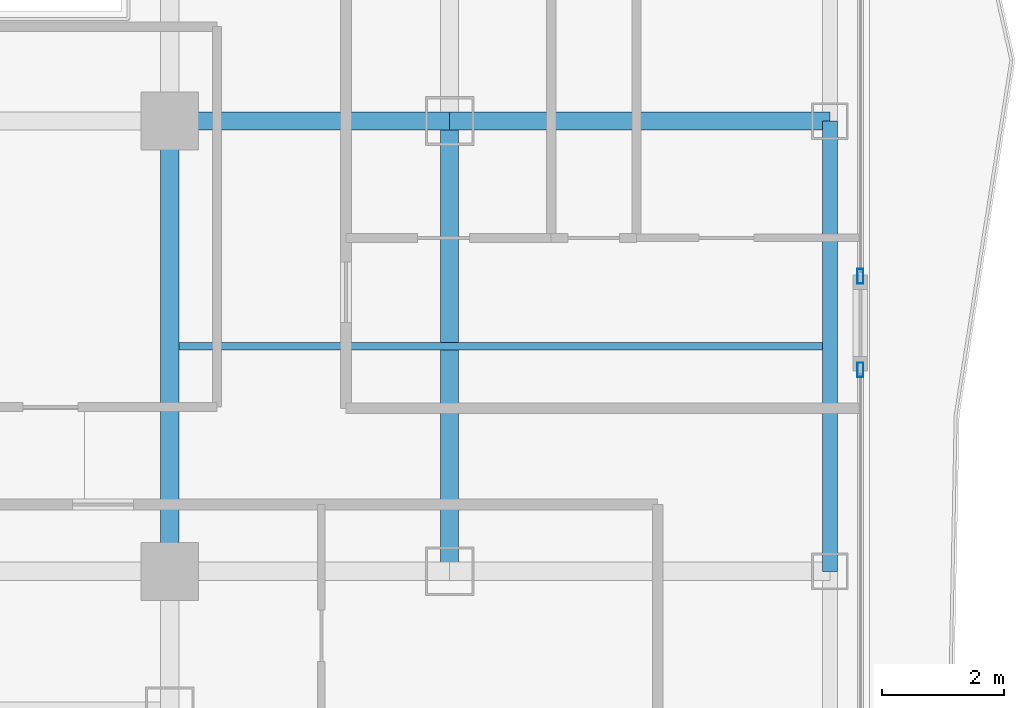
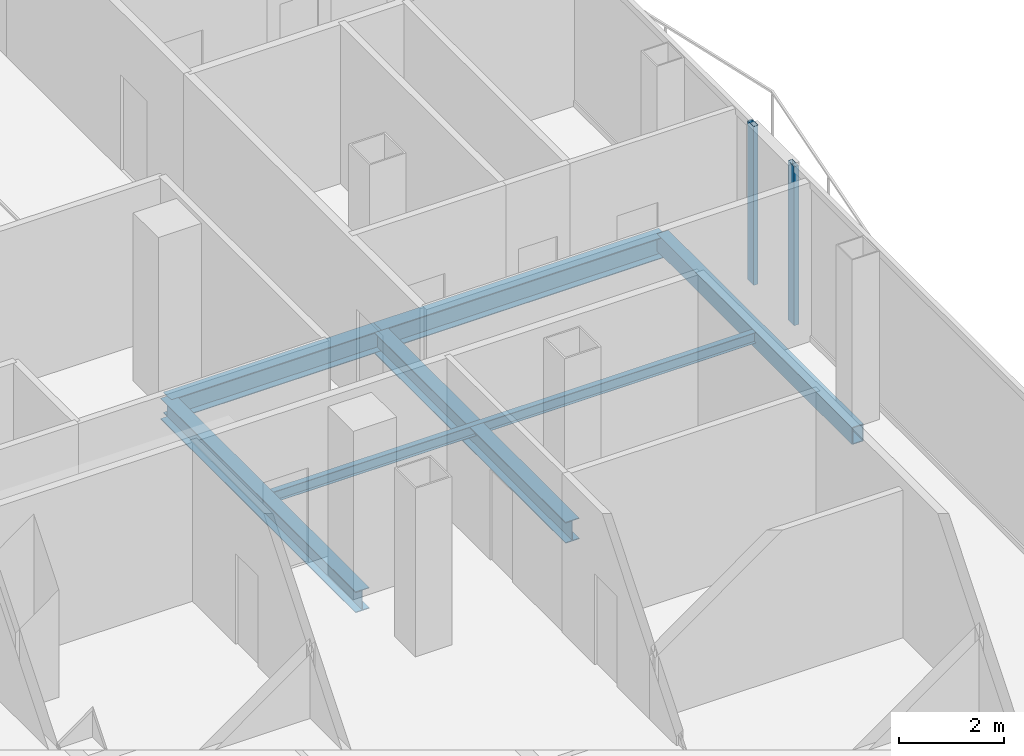
# One storey, part 11 of 27: 6 beams, 2 members, 2 elements without a shape of their own.
"""IFC4 building model written with IfcOpenShell, lengths in metres."""

from ifc_helpers import new_model, si_unit, direction, frame, origin, origin_2d, place, context, subcontext, project, spatial, hollow_rectangle, i_section, extrude, material, layer, layer_set, material_profile, profile_set, type_object, element, aggregate, save


model = new_model("IFC4")

# Units and contexts
model_context = context("Model", 3, precision=1e-05, world=origin(), true_north=direction((0.0, 1.0)))
body_context = subcontext(model_context, "Body", "Model", "MODEL_VIEW")
ifc_project = project(units=[si_unit("LENGTHUNIT", "METRE"), si_unit("AREAUNIT", "SQUARE_METRE"), si_unit("VOLUMEUNIT", "CUBIC_METRE"), si_unit("PLANEANGLEUNIT", "RADIAN"), si_unit("MASSUNIT", "GRAM", prefix="KILO")], contexts=[model_context])

# Site, building, storey
site_placement = place(None, origin())
site = spatial("IfcSite", under=ifc_project, at=site_placement, CompositionType="ELEMENT")
building_placement = place(site_placement, origin())
building = spatial("IfcBuilding", under=site, at=building_placement, Name="Khorvyn Point Tower", CompositionType="ELEMENT")
storey_placement = place(building_placement, frame((0.0, 0.0, 243.0)))
storey = spatial("IfcBuildingStorey", under=building, at=storey_placement, Name="L59", CompositionType="ELEMENT", Elevation=243.0)

# Curtain wall, member
ifc_material_1 = material(Name="Anodised aluminium 6063-T6 and laminated Low-E glass", Category="aluminium")
ifc_layer = layer(ifc_material_1, 0.18994140625)
ifc_layer_set = layer_set([ifc_layer], Name="Stick-Built Acoustic Curtain Wall CW-SYS-03")
curtain_wall_type = type_object("IfcCurtainWallType", Name="Stick-Built Acoustic Curtain Wall CW-SYS-03", PredefinedType="NOTDEFINED", material=ifc_layer_set)
curtain_wall_1_placement = place(storey_placement, origin())
curtain_wall_1 = element("IfcCurtainWall", 1, at=curtain_wall_1_placement, inside=storey, type_object=curtain_wall_type, Name="Curtain Wall", PredefinedType="NOTDEFINED")
ifc_material_2 = material(Name="Anodised aluminium 6063-T6", Category="aluminium")
ifc_material_profile_1 = material_profile(ifc_material_2, hollow_rectangle(XDim=0.10009765625, YDim=0.239990234375, WallThickness=0.0048828125, at=origin_2d()))
ifc_profile_set_1 = profile_set([ifc_material_profile_1], Name="Anodised aluminium 6063-T6 ALU-MUL-100x240")
member_type = type_object("IfcMemberType", Name="Anodised Aluminium 6063-T6 Mullion ALU-MUL-100x240", PredefinedType="MULLION", material=ifc_profile_set_1)
member_1_placement = place(storey_placement, frame((26.14990234375, -9.949951171875, 0.0), z_axis=(0.0, 0.0, 1.0), x_axis=(1.0, 0.0, 0.0)))
member_1 = element("IfcMember", 2, at=member_1_placement, type_object=member_type, Name="Transom", PredefinedType="MULLION", context=body_context, shape_type="SweptSolid", body=[
    extrude(hollow_rectangle(XDim=0.10009765625, YDim=0.239990234375, WallThickness=0.0048828125, at=origin_2d()), origin(), (0.0, 0.0, 1.0), 3.679931640625),
])
aggregate(curtain_wall_1, [member_1])

curtain_wall_2_placement = place(storey_placement, origin())
curtain_wall_2 = element("IfcCurtainWall", 3, at=curtain_wall_2_placement, inside=storey, type_object=curtain_wall_type, Name="Curtain Wall", PredefinedType="NOTDEFINED")
member_2_placement = place(storey_placement, frame((26.14990234375, -11.489990234375, 0.0), z_axis=(0.0, 0.0, 1.0), x_axis=(1.0, 0.0, 0.0)))
member_2 = element("IfcMember", 4, at=member_2_placement, type_object=member_type, Name="Transom", PredefinedType="MULLION", context=body_context, shape_type="SweptSolid", body=[
    extrude(hollow_rectangle(XDim=0.10009765625, YDim=0.239990234375, WallThickness=0.0048828125, at=origin_2d()), origin(), (0.0, 0.0, 1.0), 3.679931640625),
])
aggregate(curtain_wall_2, [member_2])

# Beams
ifc_material_3 = material(Name="Steel S355", Category="steel")
ifc_material_profile_2 = material_profile(ifc_material_3, i_section(OverallWidth=0.125, OverallDepth=0.25, WebThickness=0.006103515625, FlangeThickness=0.009033203125, at=origin_2d()))
ifc_profile_set_2 = profile_set([ifc_material_profile_2], Name="Steel S355 H250x125x6x9")
beam_type_1 = type_object("IfcBeamType", Name="Steel S355 Joist H250x125x6x9", PredefinedType="JOIST", material=ifc_profile_set_2)
beam_1_placement = place(storey_placement, frame((14.949951171875, -11.10009765625, -0.344970703125), z_axis=(1.0, 0.0, 0.0), x_axis=(0.0, 1.0, 0.0)))
element("IfcBeam", 5, at=beam_1_placement, inside=storey, type_object=beam_type_1, Name="Beam", PredefinedType="JOIST", context=body_context, shape_type="SweptSolid", body=[
    extrude(i_section(OverallWidth=0.125, OverallDepth=0.25, WebThickness=0.006103515625, FlangeThickness=0.009033203125, at=origin_2d()), origin(), (0.0, 0.0, 1.0), 10.574951171875),
])
ifc_material_profile_3 = material_profile(ifc_material_3, i_section(OverallWidth=0.300048828125, OverallDepth=0.488037109375, WebThickness=0.010986328125, FlangeThickness=0.01806640625, at=origin_2d()))
ifc_profile_set_3 = profile_set([ifc_material_profile_3], Name="Steel S355 H488x300x11x18")
beam_type_2 = type_object("IfcBeamType", Name="Steel S355 Spandrel H488x300x11x18", PredefinedType="SPANDREL", material=ifc_profile_set_3)
beam_2_placement = place(storey_placement, frame((14.800048828125, -7.39990234375, -0.464111328125), z_axis=(1.0, 0.0, 0.0), x_axis=(0.0, 1.0, 0.0)))
element("IfcBeam", 6, at=beam_2_placement, inside=storey, type_object=beam_type_2, Name="Beam", PredefinedType="SPANDREL", context=body_context, shape_type="SweptSolid", body=[
    extrude(i_section(OverallWidth=0.300048828125, OverallDepth=0.488037109375, WebThickness=0.010986328125, FlangeThickness=0.01806640625, at=origin_2d()), origin(), (0.0, 0.0, 1.0), 4.599853515625),
])
beam_3_placement = place(storey_placement, frame((19.39990234375, -7.39990234375, -0.464111328125), z_axis=(1.0, 0.0, 0.0), x_axis=(0.0, 1.0, 0.0)))
element("IfcBeam", 7, at=beam_3_placement, inside=storey, type_object=beam_type_2, Name="Beam", PredefinedType="SPANDREL", context=body_context, shape_type="SweptSolid", body=[
    extrude(i_section(OverallWidth=0.300048828125, OverallDepth=0.488037109375, WebThickness=0.010986328125, FlangeThickness=0.01806640625, at=origin_2d()), origin(), (0.0, 0.0, 1.0), 6.25),
])
for number, where, z_axis, x_axis, name in (
    (8, (14.800048828125, -14.800048828125, -0.464111328125), (0.0, 1.0, 0.0), (-1.0, 0.0, 0.0), "Beam"),
    (9, (19.39990234375, -14.800048828125, -0.464111328125), (0.0, 1.0, 0.0), (-1.0, 0.0, 0.0), "Beam"),
):
    element("IfcBeam", number, at=place(storey_placement, frame(where, z_axis=z_axis, x_axis=x_axis)), inside=storey, type_object=beam_type_2, Name=name, PredefinedType="SPANDREL", context=body_context, shape_type="SweptSolid", body=[
        extrude(i_section(OverallWidth=0.300048828125, OverallDepth=0.488037109375, WebThickness=0.010986328125, FlangeThickness=0.01806640625, at=origin_2d()), origin(), (0.0, 0.0, 1.0), 7.400146484375),
    ])
ifc_material_profile_4 = material_profile(ifc_material_3, hollow_rectangle(XDim=0.25, YDim=0.39990234375, WallThickness=0.01611328125, at=origin_2d()))
ifc_profile_set_4 = profile_set([ifc_material_profile_4], Name="Steel S355 RHS400x250x16")
beam_type_3 = type_object("IfcBeamType", Name="Steel S355 Spandrel RHS400x250x16", PredefinedType="SPANDREL", material=ifc_profile_set_4)
beam_4_placement = place(storey_placement, frame((25.64990234375, -14.800048828125, -0.419921875), z_axis=(0.0, 1.0, 0.0), x_axis=(-1.0, 0.0, 0.0)))
element("IfcBeam", 10, at=beam_4_placement, inside=storey, type_object=beam_type_3, Name="Beam", PredefinedType="SPANDREL", context=body_context, shape_type="SweptSolid", body=[
    extrude(hollow_rectangle(XDim=0.25, YDim=0.39990234375, WallThickness=0.01611328125, at=origin_2d()), origin(), (0.0, 0.0, 1.0), 7.400146484375),
])

save(model, "model.ifc")
